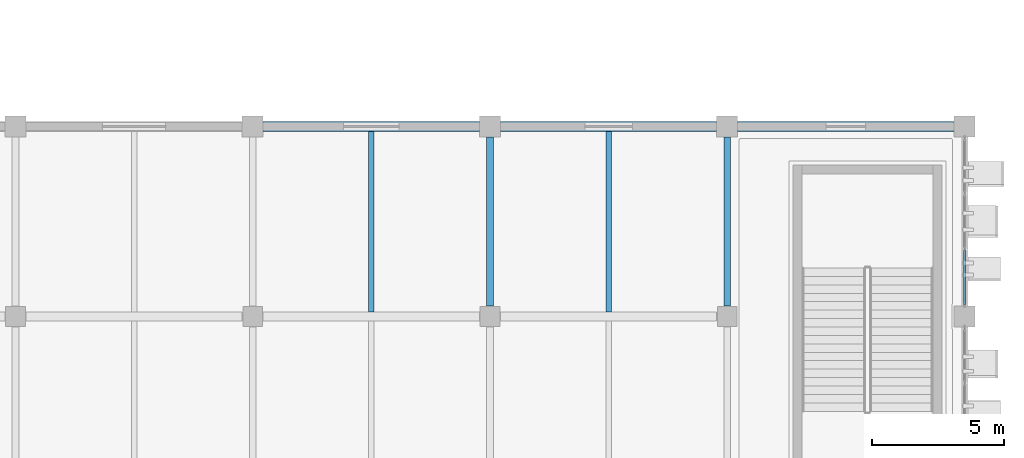
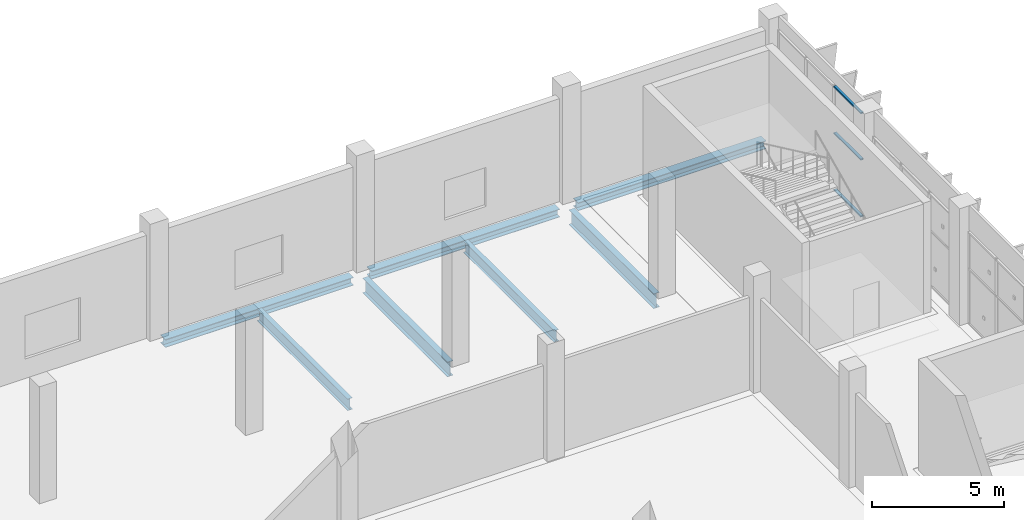
# One storey, part 51 of 137: 7 beams, 3 members, 1 element without a shape of its own.
"""IFC4 building model written with IfcOpenShell, lengths in metres."""

from ifc_helpers import new_model, si_unit, direction, frame, origin, origin_2d, place, context, subcontext, project, spatial, hollow_rectangle, i_section, extrude, material, layer, layer_set, material_profile, profile_set, type_object, element, aggregate, save


model = new_model("IFC4")

# Units and contexts
model_context = context("Model", 3, precision=1e-05, world=origin(), true_north=direction((0.0, 1.0)))
body_context = subcontext(model_context, "Body", "Model", "MODEL_VIEW")
ifc_project = project(units=[si_unit("LENGTHUNIT", "METRE"), si_unit("AREAUNIT", "SQUARE_METRE"), si_unit("VOLUMEUNIT", "CUBIC_METRE"), si_unit("PLANEANGLEUNIT", "RADIAN"), si_unit("MASSUNIT", "GRAM", prefix="KILO")], contexts=[model_context])

# Site, building, storey
site_placement = place(None, origin())
site = spatial("IfcSite", under=ifc_project, at=site_placement, CompositionType="ELEMENT")
building_placement = place(site_placement, origin())
building = spatial("IfcBuilding", under=site, at=building_placement, Name="Celestram Park Convention Centre", CompositionType="ELEMENT")
storey_placement = place(building_placement, origin())
storey = spatial("IfcBuildingStorey", under=building, at=storey_placement, Name="L00", CompositionType="ELEMENT", Elevation=0.0)

# Curtain wall, members
ifc_material_1 = material(Name="Anodised Aluminium Alloy 6063-T6", Category="aluminium")
ifc_layer = layer(ifc_material_1, 0.179931640625)
ifc_layer_set = layer_set([ifc_layer], Name="Anodised Aluminium Alloy 6063-T6")
curtain_wall_type = type_object("IfcCurtainWallType", Name="ARC-CW-640X482", PredefinedType="NOTDEFINED", material=ifc_layer_set)
curtain_wall_placement = place(storey_placement, origin())
curtain_wall = element("IfcCurtainWall", 1, at=curtain_wall_placement, inside=storey, type_object=curtain_wall_type, Name="Unitised curtain wall CU-L00-021", PredefinedType="NOTDEFINED")
ifc_material_profile_1 = material_profile(ifc_material_1, hollow_rectangle(XDim=0.1201171875, YDim=0.06005859375, WallThickness=0.0029296875, at=origin_2d()), Name="ALU120X60X3")
ifc_profile_set_1 = profile_set([ifc_material_profile_1], Name="Anodised Aluminium Alloy 6063-T6")
member_type = type_object("IfcMemberType", Name="ARC-CWT-120", PredefinedType="USERDEFINED", material=ifc_profile_set_1)
member_1_placement = place(storey_placement, frame((216.0, 31.300048828125, 0.030029296875), z_axis=(0.0, -1.0, 0.0), x_axis=(1.0, 0.0, 0.0)))
member_1 = element("IfcMember", 2, at=member_1_placement, type_object=member_type, Name="CW-64X48 transom 3.1", ObjectType="TRANSOM", PredefinedType="USERDEFINED", context=body_context, shape_type="SweptSolid", body=[
    extrude(hollow_rectangle(XDim=0.1201171875, YDim=0.06005859375, WallThickness=0.0029296875, at=origin_2d()), origin(), (0.0, 0.0, 1.0), 2.037109375),
])
member_2_placement = place(storey_placement, frame((216.0, 31.300048828125, 2.64990234375), z_axis=(0.0, -1.0, 0.0), x_axis=(1.0, 0.0, 0.0)))
member_2 = element("IfcMember", 3, at=member_2_placement, type_object=member_type, Name="CW-64X48 transom 3.2", ObjectType="TRANSOM", PredefinedType="USERDEFINED", context=body_context, shape_type="SweptSolid", body=[
    extrude(hollow_rectangle(XDim=0.1201171875, YDim=0.06005859375, WallThickness=0.0029296875, at=origin_2d()), origin(), (0.0, 0.0, 1.0), 2.037109375),
])
member_3_placement = place(storey_placement, frame((216.0, 31.300048828125, 4.7900390625), z_axis=(0.0, -1.0, 0.0), x_axis=(1.0, 0.0, 0.0)))
member_3 = element("IfcMember", 4, at=member_3_placement, type_object=member_type, Name="CW-64X48 transom 3.3", ObjectType="TRANSOM", PredefinedType="USERDEFINED", context=body_context, shape_type="SweptSolid", body=[
    extrude(hollow_rectangle(XDim=0.1201171875, YDim=0.06005859375, WallThickness=0.0029296875, at=origin_2d()), origin(), (0.0, 0.0, 1.0), 2.037109375),
])
aggregate(curtain_wall, [member_1, member_2, member_3])

# Beams
ifc_material_2 = material(Name="Steel ASTM A992 Grade 50", Category="steel")
ifc_material_profile_2 = material_profile(ifc_material_2, i_section(OverallWidth=0.25390625, OverallDepth=0.68310546875, WebThickness=0.012451171875, FlangeThickness=0.01904296875, at=origin_2d()), Name="W27X94")
ifc_profile_set_2 = profile_set([ifc_material_profile_2], Name="Steel ASTM A992 Grade 50")
beam_type_1 = type_object("IfcBeamType", Name="STR-BM-W27X94", PredefinedType="BEAM", material=ifc_profile_set_2)
for number, where, z_axis, x_axis, name in (
    (5, (198.0, 29.197998046875, -0.66162109375), (0.0, 1.0, 0.0), (-1.0, 0.0, 0.0), "Primary Y-girder BG-L00-0830"),
    (6, (207.0, 29.197998046875, -0.66162109375), (0.0, 1.0, 0.0), (-1.0, 0.0, 0.0), "Primary Y-girder BG-L00-0854"),
):
    element("IfcBeam", number, at=place(storey_placement, frame(where, z_axis=z_axis, x_axis=x_axis)), inside=storey, type_object=beam_type_1, Name=name, PredefinedType="BEAM", context=body_context, shape_type="SweptSolid", body=[
        extrude(i_section(OverallWidth=0.25390625, OverallDepth=0.68310546875, WebThickness=0.012451171875, FlangeThickness=0.01904296875, at=origin_2d()), origin(), (0.0, 0.0, 1.0), 6.404052734375),
    ])
ifc_material_profile_3 = material_profile(ifc_material_2, i_section(OverallWidth=0.2099609375, OverallDepth=0.532958984375, WebThickness=0.01025390625, FlangeThickness=0.015625, at=origin_2d()), Name="W21X62")
ifc_profile_set_3 = profile_set([ifc_material_profile_3], Name="Steel ASTM A992 Grade 50")
beam_type_2 = type_object("IfcBeamType", Name="STR-JST-W21X62", PredefinedType="JOIST", material=ifc_profile_set_3)
for number, where, z_axis, x_axis, name in (
    (7, (193.5, 28.97412109375, -0.58642578125), (0.0, 1.0, 0.0), (-1.0, 0.0, 0.0), "Secondary composite joist BG-L00-1224"),
    (8, (202.5, 28.97412109375, -0.58642578125), (0.0, 1.0, 0.0), (-1.0, 0.0, 0.0), "Secondary composite joist BG-L00-1236"),
):
    element("IfcBeam", number, at=place(storey_placement, frame(where, z_axis=z_axis, x_axis=x_axis)), inside=storey, type_object=beam_type_2, Name=name, PredefinedType="JOIST", context=body_context, shape_type="SweptSolid", body=[
        extrude(i_section(OverallWidth=0.2099609375, OverallDepth=0.532958984375, WebThickness=0.01025390625, FlangeThickness=0.015625, at=origin_2d()), origin(), (0.0, 0.0, 1.0), 6.843994140625),
    ])
ifc_material_profile_4 = material_profile(ifc_material_2, i_section(OverallWidth=0.373046875, OverallDepth=0.373046875, WebThickness=0.016357421875, FlangeThickness=0.026123046875, at=origin_2d()), Name="W14X132")
ifc_profile_set_4 = profile_set([ifc_material_profile_4], Name="Steel ASTM A992 Grade 50")
beam_type_3 = type_object("IfcBeamType", Name="STR-SPN-W14X132", PredefinedType="SPANDREL", material=ifc_profile_set_4)
for number, where, z_axis, x_axis, name in (
    (9, (189.39794921875, 36.0, -0.506591796875), (1.0, 0.0, 0.0), (0.0, 1.0, 0.0), "Primary X-girder BG-L00-0805"),
    (10, (198.39794921875, 36.0, -0.506591796875), (1.0, 0.0, 0.0), (0.0, 1.0, 0.0), "Primary X-girder BG-L00-0831"),
    (11, (207.39794921875, 36.0, -0.506591796875), (1.0, 0.0, 0.0), (0.0, 1.0, 0.0), "Primary X-girder BG-L00-0855"),
):
    element("IfcBeam", number, at=place(storey_placement, frame(where, z_axis=z_axis, x_axis=x_axis)), inside=storey, type_object=beam_type_3, Name=name, PredefinedType="SPANDREL", context=body_context, shape_type="SweptSolid", body=[
        extrude(i_section(OverallWidth=0.373046875, OverallDepth=0.373046875, WebThickness=0.016357421875, FlangeThickness=0.026123046875, at=origin_2d()), origin(), (0.0, 0.0, 1.0), 8.2041015625),
    ])

save(model, "model.ifc")
